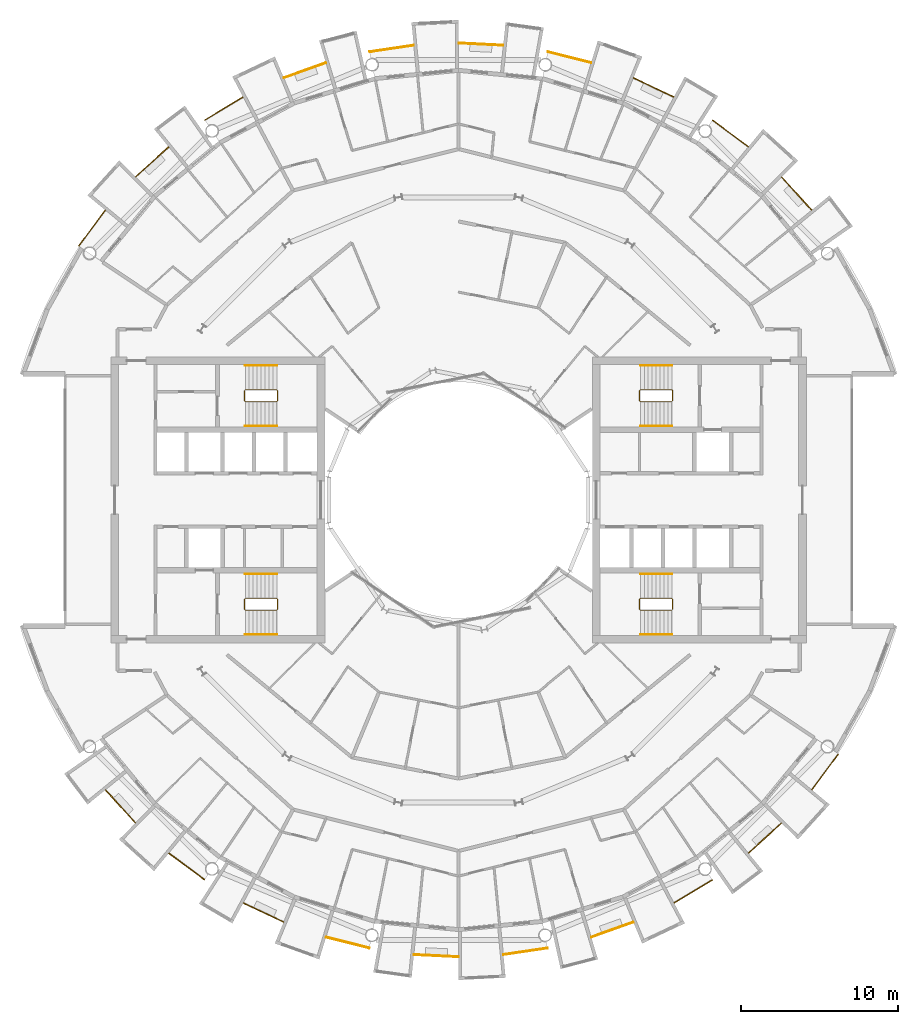
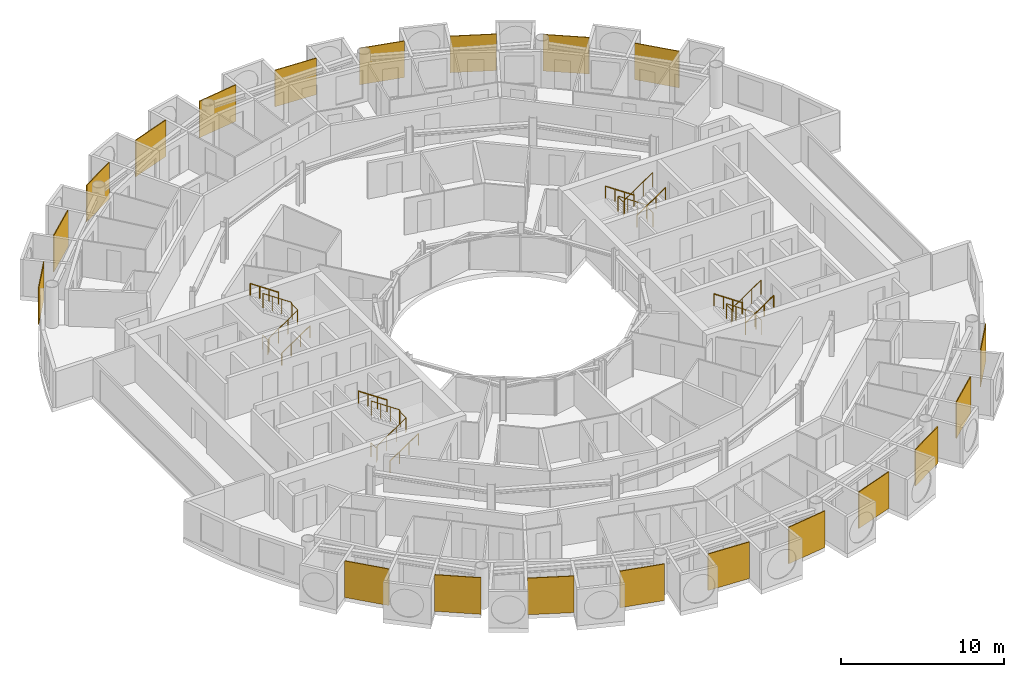
# One storey, part 26 of 26: 32 railings.
"""IFC4 building model written with IfcOpenShell, lengths in metres."""

from ifc_helpers import new_model, si_unit, direction, frame, origin, origin_2d, place, context, subcontext, project, spatial, polyline, circle, outline, extrude, material, layer, layer_set, type_object, element, save


model = new_model("IFC4")

# Units and contexts
model_context = context("Model", 3, precision=1e-05, world=origin(), true_north=direction((0.0, 1.0)))
body_context = subcontext(model_context, "Body", "Model", "MODEL_VIEW")
ifc_project = project(units=[si_unit("LENGTHUNIT", "METRE"), si_unit("AREAUNIT", "SQUARE_METRE"), si_unit("VOLUMEUNIT", "CUBIC_METRE"), si_unit("PLANEANGLEUNIT", "RADIAN"), si_unit("MASSUNIT", "GRAM", prefix="KILO")], contexts=[model_context])

# Site, building, storey
site_placement = place(None, origin())
site = spatial("IfcSite", under=ifc_project, at=site_placement, CompositionType="ELEMENT")
building_placement = place(site_placement, origin())
building = spatial("IfcBuilding", under=site, at=building_placement, Name="Maasbend Ring Residences", CompositionType="ELEMENT")
storey_placement = place(building_placement, frame((0.0, 0.0, 161.60009765625)))
storey = spatial("IfcBuildingStorey", under=building, at=storey_placement, Name="L46", CompositionType="ELEMENT", Elevation=161.60009765625)

# Railings
ifc_material_1 = material(Name="Pale anodised perforated aluminium", Category="aluminium")
ifc_layer = layer(ifc_material_1, 0.06005859375)
ifc_layer_set = layer_set([ifc_layer], Name="SCREEN-P")
railing_type_1 = type_object("IfcRailingType", Name="SCREEN-P", PredefinedType="GUARDRAIL", material=ifc_layer_set)
railing_1_placement = place(storey_placement, frame((0.0, 0.0, -0.030029296875)))
element("IfcRailing", 1, at=railing_1_placement, inside=storey, type_object=railing_type_1, Name="Perforated screen guard 1", PredefinedType="GUARDRAIL", context=body_context, shape_type="SweptSolid", body=[
    extrude(outline(polyline([(22.4169921875, 18.39697265625), (20.506103515625, 20.506103515625), (20.551025390625, 20.5458984375), (22.4619140625, 18.43798828125), (22.4169921875, 18.39697265625)])), origin(), (0.0, 0.0, 1.0), 2.72998046875),
])
railing_2_placement = place(storey_placement, frame((0.0, 0.0, -0.030029296875)))
element("IfcRailing", 2, at=railing_2_placement, inside=storey, type_object=railing_type_1, Name="Perforated screen guard 2", PredefinedType="GUARDRAIL", context=body_context, shape_type="SweptSolid", body=[
    extrude(outline(polyline([(18.39697265625, 22.4169921875), (16.112060546875, 24.113037109375), (16.14697265625, 24.160888671875), (18.43310546875, 22.465087890625), (18.39697265625, 22.4169921875)])), origin(), (0.0, 0.0, 1.0), 2.72998046875),
])
railing_3_placement = place(storey_placement, frame((0.0, 0.0, -0.030029296875)))
element("IfcRailing", 3, at=railing_3_placement, inside=storey, type_object=railing_type_1, Name="Perforated screen guard 3", PredefinedType="GUARDRAIL", context=body_context, shape_type="SweptSolid", body=[
    extrude(outline(polyline([(13.6708984375, 25.575927734375), (11.097900390625, 26.79296875), (11.123046875, 26.846923828125), (13.696044921875, 25.6298828125), (13.6708984375, 25.575927734375)])), origin(), (0.0, 0.0, 1.0), 2.72998046875),
])
railing_4_placement = place(storey_placement, frame((0.0, 0.0, -0.030029296875)))
element("IfcRailing", 4, at=railing_4_placement, inside=storey, type_object=railing_type_1, Name="Perforated screen guard 4", PredefinedType="GUARDRAIL", context=body_context, shape_type="SweptSolid", body=[
    extrude(outline(polyline([(8.41796875, 27.7509765625), (5.657958984375, 28.443115234375), (5.672119140625, 28.5009765625), (8.43310546875, 27.80908203125), (8.41796875, 27.7509765625)])), origin(), (0.0, 0.0, 1.0), 2.72998046875),
])
railing_5_placement = place(storey_placement, frame((0.0, 0.0, -0.030029296875)))
element("IfcRailing", 5, at=railing_5_placement, inside=storey, type_object=railing_type_1, Name="Perforated screen guard 5", PredefinedType="GUARDRAIL", context=body_context, shape_type="SweptSolid", body=[
    extrude(outline(polyline([(2.842041015625, 28.860107421875), (0.0, 29.0), (0.0029296875, 29.06005859375), (2.844970703125, 28.919921875), (2.842041015625, 28.860107421875)])), origin(), (0.0, 0.0, 1.0), 2.72998046875),
])
railing_6_placement = place(storey_placement, frame((0.0, 0.0, -0.030029296875)))
element("IfcRailing", 6, at=railing_6_placement, inside=storey, type_object=railing_type_1, Name="Perforated screen guard 6", PredefinedType="GUARDRAIL", context=body_context, shape_type="SweptSolid", body=[
    extrude(outline(polyline([(-2.842041015625, 28.860107421875), (-5.657958984375, 28.443115234375), (-5.666015625, 28.501953125), (-2.85107421875, 28.919921875), (-2.842041015625, 28.860107421875)])), origin(), (0.0, 0.0, 1.0), 2.72998046875),
])
railing_7_placement = place(storey_placement, frame((0.0, 0.0, -0.030029296875)))
element("IfcRailing", 7, at=railing_7_placement, inside=storey, type_object=railing_type_1, Name="Perforated screen guard 7", PredefinedType="GUARDRAIL", context=body_context, shape_type="SweptSolid", body=[
    extrude(outline(polyline([(-8.41796875, 27.7509765625), (-11.097900390625, 26.79296875), (-11.117919921875, 26.84912109375), (-8.43798828125, 27.80810546875), (-8.41796875, 27.7509765625)])), origin(), (0.0, 0.0, 1.0), 2.72998046875),
])
railing_8_placement = place(storey_placement, frame((0.0, 0.0, -0.030029296875)))
element("IfcRailing", 8, at=railing_8_placement, inside=storey, type_object=railing_type_1, Name="Perforated screen guard 8", PredefinedType="GUARDRAIL", context=body_context, shape_type="SweptSolid", body=[
    extrude(outline(polyline([(-13.6708984375, 25.575927734375), (-16.112060546875, 24.113037109375), (-16.14208984375, 24.1640625), (-13.700927734375, 25.626953125), (-13.6708984375, 25.575927734375)])), origin(), (0.0, 0.0, 1.0), 2.72998046875),
])
railing_9_placement = place(storey_placement, frame((0.0, 0.0, -0.030029296875)))
element("IfcRailing", 9, at=railing_9_placement, inside=storey, type_object=railing_type_1, Name="Perforated screen guard 9", PredefinedType="GUARDRAIL", context=body_context, shape_type="SweptSolid", body=[
    extrude(outline(polyline([(-18.39697265625, 22.4169921875), (-20.506103515625, 20.506103515625), (-20.5458984375, 20.551025390625), (-18.43798828125, 22.4619140625), (-18.39697265625, 22.4169921875)])), origin(), (0.0, 0.0, 1.0), 2.72998046875),
])
railing_10_placement = place(storey_placement, frame((0.0, 0.0, -0.030029296875)))
element("IfcRailing", 10, at=railing_10_placement, inside=storey, type_object=railing_type_1, Name="Perforated screen guard 10", PredefinedType="GUARDRAIL", context=body_context, shape_type="SweptSolid", body=[
    extrude(outline(polyline([(-22.4169921875, 18.39697265625), (-24.113037109375, 16.112060546875), (-24.160888671875, 16.14697265625), (-22.465087890625, 18.43310546875), (-22.4169921875, 18.39697265625)])), origin(), (0.0, 0.0, 1.0), 2.72998046875),
])
railing_11_placement = place(storey_placement, frame((0.0, 0.0, -0.030029296875)))
element("IfcRailing", 11, at=railing_11_placement, inside=storey, type_object=railing_type_1, Name="Perforated screen guard 1", PredefinedType="GUARDRAIL", context=body_context, shape_type="SweptSolid", body=[
    extrude(outline(polyline([(-22.4169921875, -18.39697265625), (-20.506103515625, -20.506103515625), (-20.551025390625, -20.5458984375), (-22.4619140625, -18.43798828125), (-22.4169921875, -18.39697265625)])), origin(), (0.0, 0.0, 1.0), 2.72998046875),
])
railing_12_placement = place(storey_placement, frame((0.0, 0.0, -0.030029296875)))
element("IfcRailing", 12, at=railing_12_placement, inside=storey, type_object=railing_type_1, Name="Perforated screen guard 2", PredefinedType="GUARDRAIL", context=body_context, shape_type="SweptSolid", body=[
    extrude(outline(polyline([(-18.39697265625, -22.4169921875), (-16.112060546875, -24.113037109375), (-16.14697265625, -24.160888671875), (-18.43310546875, -22.465087890625), (-18.39697265625, -22.4169921875)])), origin(), (0.0, 0.0, 1.0), 2.72998046875),
])
railing_13_placement = place(storey_placement, frame((0.0, 0.0, -0.030029296875)))
element("IfcRailing", 13, at=railing_13_placement, inside=storey, type_object=railing_type_1, Name="Perforated screen guard 3", PredefinedType="GUARDRAIL", context=body_context, shape_type="SweptSolid", body=[
    extrude(outline(polyline([(-13.6708984375, -25.575927734375), (-11.097900390625, -26.79296875), (-11.123046875, -26.846923828125), (-13.696044921875, -25.6298828125), (-13.6708984375, -25.575927734375)])), origin(), (0.0, 0.0, 1.0), 2.72998046875),
])
railing_14_placement = place(storey_placement, frame((0.0, 0.0, -0.030029296875)))
element("IfcRailing", 14, at=railing_14_placement, inside=storey, type_object=railing_type_1, Name="Perforated screen guard 4", PredefinedType="GUARDRAIL", context=body_context, shape_type="SweptSolid", body=[
    extrude(outline(polyline([(-8.41796875, -27.7509765625), (-5.657958984375, -28.443115234375), (-5.672119140625, -28.5009765625), (-8.43310546875, -27.80908203125), (-8.41796875, -27.7509765625)])), origin(), (0.0, 0.0, 1.0), 2.72998046875),
])
railing_15_placement = place(storey_placement, frame((0.0, 0.0, -0.030029296875)))
element("IfcRailing", 15, at=railing_15_placement, inside=storey, type_object=railing_type_1, Name="Perforated screen guard 5", PredefinedType="GUARDRAIL", context=body_context, shape_type="SweptSolid", body=[
    extrude(outline(polyline([(-2.842041015625, -28.860107421875), (0.0, -29.0), (-0.0029296875, -29.06005859375), (-2.844970703125, -28.919921875), (-2.842041015625, -28.860107421875)])), origin(), (0.0, 0.0, 1.0), 2.72998046875),
])
railing_16_placement = place(storey_placement, frame((0.0, 0.0, -0.030029296875)))
element("IfcRailing", 16, at=railing_16_placement, inside=storey, type_object=railing_type_1, Name="Perforated screen guard 6", PredefinedType="GUARDRAIL", context=body_context, shape_type="SweptSolid", body=[
    extrude(outline(polyline([(2.842041015625, -28.860107421875), (5.657958984375, -28.443115234375), (5.666015625, -28.501953125), (2.85107421875, -28.919921875), (2.842041015625, -28.860107421875)])), origin(), (0.0, 0.0, 1.0), 2.72998046875),
])
railing_17_placement = place(storey_placement, frame((0.0, 0.0, -0.030029296875)))
element("IfcRailing", 17, at=railing_17_placement, inside=storey, type_object=railing_type_1, Name="Perforated screen guard 7", PredefinedType="GUARDRAIL", context=body_context, shape_type="SweptSolid", body=[
    extrude(outline(polyline([(8.41796875, -27.7509765625), (11.097900390625, -26.79296875), (11.117919921875, -26.84912109375), (8.43798828125, -27.80810546875), (8.41796875, -27.7509765625)])), origin(), (0.0, 0.0, 1.0), 2.72998046875),
])
railing_18_placement = place(storey_placement, frame((0.0, 0.0, -0.030029296875)))
element("IfcRailing", 18, at=railing_18_placement, inside=storey, type_object=railing_type_1, Name="Perforated screen guard 8", PredefinedType="GUARDRAIL", context=body_context, shape_type="SweptSolid", body=[
    extrude(outline(polyline([(13.6708984375, -25.575927734375), (16.112060546875, -24.113037109375), (16.14208984375, -24.1640625), (13.700927734375, -25.626953125), (13.6708984375, -25.575927734375)])), origin(), (0.0, 0.0, 1.0), 2.72998046875),
])
railing_19_placement = place(storey_placement, frame((0.0, 0.0, -0.030029296875)))
element("IfcRailing", 19, at=railing_19_placement, inside=storey, type_object=railing_type_1, Name="Perforated screen guard 9", PredefinedType="GUARDRAIL", context=body_context, shape_type="SweptSolid", body=[
    extrude(outline(polyline([(18.39697265625, -22.4169921875), (20.506103515625, -20.506103515625), (20.5458984375, -20.551025390625), (18.43798828125, -22.4619140625), (18.39697265625, -22.4169921875)])), origin(), (0.0, 0.0, 1.0), 2.72998046875),
])
railing_20_placement = place(storey_placement, frame((0.0, 0.0, -0.030029296875)))
element("IfcRailing", 20, at=railing_20_placement, inside=storey, type_object=railing_type_1, Name="Perforated screen guard 10", PredefinedType="GUARDRAIL", context=body_context, shape_type="SweptSolid", body=[
    extrude(outline(polyline([(22.4169921875, -18.39697265625), (24.113037109375, -16.112060546875), (24.160888671875, -16.14697265625), (22.465087890625, -18.43310546875), (22.4169921875, -18.39697265625)])), origin(), (0.0, 0.0, 1.0), 2.72998046875),
])
ifc_material_2 = material(Name="Stainless steel 316", Category="steel")
railing_type_2 = type_object("IfcRailingType", Name="STAIR GUARD 1100", PredefinedType="GUARDRAIL", material=ifc_material_2)
railing_21_placement = place(storey_placement, frame((13.60009765625, 6.300048828125, 0.0)))
element("IfcRailing", 21, at=railing_21_placement, inside=storey, type_object=railing_type_2, Name="L46 ST-E1 stair guard 1", PredefinedType="GUARDRAIL", context=body_context, shape_type="SweptSolid", body=[
    extrude(circle(Radius=0.02392578125, at=origin_2d()), frame((0.0, 0.0, 1.076171875), z_axis=(0.0, 1.0, 0.0), x_axis=(-1.0, 0.0, 0.0)), (0.0, 0.0, 1.0), 0.64990234375),
    extrude(circle(Radius=0.02392578125, at=origin_2d()), frame((0.0, 0.64990234375, 1.076171875), z_axis=(-0.272562526181, 0.272562526181, 0.92272386912), x_axis=(-0.707106781187, -0.707106781187, 0.0)), (0.0, 0.0, 1.0), 0.18359375),
    extrude(circle(Radius=0.02392578125, at=origin_2d()), frame((-0.050048828125, 0.699951171875, 1.24560546875), z_axis=(-0.827797584762, 0.0, 0.561026878735), x_axis=(0.0, -1.0, 0.0)), (0.0, 0.0, 1.0), 2.416015625),
    extrude(circle(Radius=0.02392578125, at=origin_2d()), frame((-2.050048828125, 0.699951171875, 2.60107421875), z_axis=(-0.707106781187, -0.707106781187, 0.0), x_axis=(0.707106781187, -0.707106781187, 0.0)), (0.0, 0.0, 1.0), 0.07080078125),
    extrude(circle(Radius=0.02392578125, at=origin_2d()), frame((-2.10009765625, 0.64990234375, 2.60107421875), z_axis=(0.0, -1.0, 0.0), x_axis=(1.0, 0.0, 0.0)), (0.0, 0.0, 1.0), 0.64990234375),
    extrude(circle(Radius=0.02392578125, at=origin_2d()), frame((-2.10009765625, 0.0, 2.60107421875), z_axis=(0.272562526181, -0.272562526181, 0.92272386912), x_axis=(0.707106781187, 0.707106781187, 0.0)), (0.0, 0.0, 1.0), 0.18359375),
    extrude(circle(Radius=0.02392578125, at=origin_2d()), frame((-2.050048828125, -0.050048828125, 2.7705078125), z_axis=(0.827797584762, 0.0, 0.561026878735), x_axis=(0.0, 1.0, 0.0)), (0.0, 0.0, 1.0), 2.416015625),
    extrude(circle(Radius=0.02099609375, at=origin_2d()), origin(), (0.0, 0.0, 1.0), 1.052001953125),
    extrude(circle(Radius=0.02099609375, at=origin_2d()), frame((0.0, 0.64990234375, 0.0)), (0.0, 0.0, 1.0), 1.052001953125),
    extrude(circle(Radius=0.02099609375, at=origin_2d()), frame((-0.050048828125, 0.699951171875, 0.16943359375)), (0.0, 0.0, 1.0), 1.052001953125),
    extrude(circle(Radius=0.02099609375, at=origin_2d()), frame((-0.716796875, 0.699951171875, 0.621337890625)), (0.0, 0.0, 1.0), 1.052001953125),
    extrude(circle(Radius=0.02099609375, at=origin_2d()), frame((-1.38330078125, 0.699951171875, 1.072998046875)), (0.0, 0.0, 1.0), 1.052001953125),
    extrude(circle(Radius=0.02099609375, at=origin_2d()), frame((-2.050048828125, 0.699951171875, 1.52490234375)), (0.0, 0.0, 1.0), 1.052001953125),
    extrude(circle(Radius=0.02099609375, at=origin_2d()), frame((-2.10009765625, 0.64990234375, 1.52490234375)), (0.0, 0.0, 1.0), 1.052001953125),
    extrude(circle(Radius=0.02099609375, at=origin_2d()), frame((-2.10009765625, 0.0, 1.52490234375)), (0.0, 0.0, 1.0), 1.052001953125),
    extrude(circle(Radius=0.02099609375, at=origin_2d()), frame((-2.050048828125, -0.050048828125, 1.6943359375)), (0.0, 0.0, 1.0), 1.052001953125),
    extrude(circle(Radius=0.02099609375, at=origin_2d()), frame((-1.38330078125, -0.050048828125, 2.146240234375)), (0.0, 0.0, 1.0), 1.052001953125),
    extrude(circle(Radius=0.02099609375, at=origin_2d()), frame((-0.716796875, -0.050048828125, 2.597900390625)), (0.0, 0.0, 1.0), 1.052001953125),
    extrude(circle(Radius=0.02099609375, at=origin_2d()), frame((-0.050048828125, -0.050048828125, 3.0498046875)), (0.0, 0.0, 1.0), 1.052001953125),
])
railing_22_placement = place(storey_placement, frame((13.60009765625, -6.949951171875, 0.0)))
element("IfcRailing", 22, at=railing_22_placement, inside=storey, type_object=railing_type_2, Name="L46 ST-E2 stair guard 1", PredefinedType="GUARDRAIL", context=body_context, shape_type="SweptSolid", body=[
    extrude(circle(Radius=0.02392578125, at=origin_2d()), frame((0.0, 0.0, 1.076171875), z_axis=(0.0, 1.0, 0.0), x_axis=(-1.0, 0.0, 0.0)), (0.0, 0.0, 1.0), 0.64990234375),
    extrude(circle(Radius=0.02392578125, at=origin_2d()), frame((0.0, 0.64990234375, 1.076171875), z_axis=(-0.272562526181, 0.272562526181, 0.92272386912), x_axis=(-0.707106781187, -0.707106781187, 0.0)), (0.0, 0.0, 1.0), 0.18359375),
    extrude(circle(Radius=0.02392578125, at=origin_2d()), frame((-0.050048828125, 0.699951171875, 1.24560546875), z_axis=(-0.827797584762, 0.0, 0.561026878735), x_axis=(0.0, -1.0, 0.0)), (0.0, 0.0, 1.0), 2.416015625),
    extrude(circle(Radius=0.02392578125, at=origin_2d()), frame((-2.050048828125, 0.699951171875, 2.60107421875), z_axis=(-0.707106781187, -0.707106781187, 0.0), x_axis=(0.707106781187, -0.707106781187, 0.0)), (0.0, 0.0, 1.0), 0.07080078125),
    extrude(circle(Radius=0.02392578125, at=origin_2d()), frame((-2.10009765625, 0.64990234375, 2.60107421875), z_axis=(0.0, -1.0, 0.0), x_axis=(1.0, 0.0, 0.0)), (0.0, 0.0, 1.0), 0.64990234375),
    extrude(circle(Radius=0.02392578125, at=origin_2d()), frame((-2.10009765625, 0.0, 2.60107421875), z_axis=(0.272562526181, -0.272562526181, 0.92272386912), x_axis=(0.707106781187, 0.707106781187, 0.0)), (0.0, 0.0, 1.0), 0.18359375),
    extrude(circle(Radius=0.02392578125, at=origin_2d()), frame((-2.050048828125, -0.050048828125, 2.7705078125), z_axis=(0.827797584762, 0.0, 0.561026878735), x_axis=(0.0, 1.0, 0.0)), (0.0, 0.0, 1.0), 2.416015625),
    extrude(circle(Radius=0.02099609375, at=origin_2d()), origin(), (0.0, 0.0, 1.0), 1.052001953125),
    extrude(circle(Radius=0.02099609375, at=origin_2d()), frame((0.0, 0.64990234375, 0.0)), (0.0, 0.0, 1.0), 1.052001953125),
    extrude(circle(Radius=0.02099609375, at=origin_2d()), frame((-0.050048828125, 0.699951171875, 0.16943359375)), (0.0, 0.0, 1.0), 1.052001953125),
    extrude(circle(Radius=0.02099609375, at=origin_2d()), frame((-0.716796875, 0.699951171875, 0.621337890625)), (0.0, 0.0, 1.0), 1.052001953125),
    extrude(circle(Radius=0.02099609375, at=origin_2d()), frame((-1.38330078125, 0.699951171875, 1.072998046875)), (0.0, 0.0, 1.0), 1.052001953125),
    extrude(circle(Radius=0.02099609375, at=origin_2d()), frame((-2.050048828125, 0.699951171875, 1.52490234375)), (0.0, 0.0, 1.0), 1.052001953125),
    extrude(circle(Radius=0.02099609375, at=origin_2d()), frame((-2.10009765625, 0.64990234375, 1.52490234375)), (0.0, 0.0, 1.0), 1.052001953125),
    extrude(circle(Radius=0.02099609375, at=origin_2d()), frame((-2.10009765625, 0.0, 1.52490234375)), (0.0, 0.0, 1.0), 1.052001953125),
    extrude(circle(Radius=0.02099609375, at=origin_2d()), frame((-2.050048828125, -0.050048828125, 1.6943359375)), (0.0, 0.0, 1.0), 1.052001953125),
    extrude(circle(Radius=0.02099609375, at=origin_2d()), frame((-1.38330078125, -0.050048828125, 2.146240234375)), (0.0, 0.0, 1.0), 1.052001953125),
    extrude(circle(Radius=0.02099609375, at=origin_2d()), frame((-0.716796875, -0.050048828125, 2.597900390625)), (0.0, 0.0, 1.0), 1.052001953125),
    extrude(circle(Radius=0.02099609375, at=origin_2d()), frame((-0.050048828125, -0.050048828125, 3.0498046875)), (0.0, 0.0, 1.0), 1.052001953125),
])
railing_23_placement = place(storey_placement, frame((-13.60009765625, -6.300048828125, 0.0)))
element("IfcRailing", 23, at=railing_23_placement, inside=storey, type_object=railing_type_2, Name="L46 ST-W1 stair guard 1", PredefinedType="GUARDRAIL", context=body_context, shape_type="SweptSolid", body=[
    extrude(circle(Radius=0.02392578125, at=origin_2d()), frame((0.0, 0.0, 1.076171875), z_axis=(0.0, -1.0, 0.0), x_axis=(1.0, 0.0, 0.0)), (0.0, 0.0, 1.0), 0.64990234375),
    extrude(circle(Radius=0.02392578125, at=origin_2d()), frame((0.0, -0.64990234375, 1.076171875), z_axis=(0.272562526181, -0.272562526181, 0.92272386912), x_axis=(0.707106781187, 0.707106781187, 0.0)), (0.0, 0.0, 1.0), 0.18359375),
    extrude(circle(Radius=0.02392578125, at=origin_2d()), frame((0.050048828125, -0.699951171875, 1.24560546875), z_axis=(0.827797584762, 0.0, 0.561026878735), x_axis=(0.0, 1.0, 0.0)), (0.0, 0.0, 1.0), 2.416015625),
    extrude(circle(Radius=0.02392578125, at=origin_2d()), frame((2.050048828125, -0.699951171875, 2.60107421875), z_axis=(0.707106781187, 0.707106781187, 0.0), x_axis=(-0.707106781187, 0.707106781187, 0.0)), (0.0, 0.0, 1.0), 0.07080078125),
    extrude(circle(Radius=0.02392578125, at=origin_2d()), frame((2.10009765625, -0.64990234375, 2.60107421875), z_axis=(0.0, 1.0, 0.0), x_axis=(-1.0, 0.0, 0.0)), (0.0, 0.0, 1.0), 0.64990234375),
    extrude(circle(Radius=0.02392578125, at=origin_2d()), frame((2.10009765625, 0.0, 2.60107421875), z_axis=(-0.272562526181, 0.272562526181, 0.92272386912), x_axis=(-0.707106781187, -0.707106781187, 0.0)), (0.0, 0.0, 1.0), 0.18359375),
    extrude(circle(Radius=0.02392578125, at=origin_2d()), frame((2.050048828125, 0.050048828125, 2.7705078125), z_axis=(-0.827797584762, 0.0, 0.561026878735), x_axis=(0.0, -1.0, 0.0)), (0.0, 0.0, 1.0), 2.416015625),
    extrude(circle(Radius=0.02099609375, at=origin_2d()), origin(), (0.0, 0.0, 1.0), 1.052001953125),
    extrude(circle(Radius=0.02099609375, at=origin_2d()), frame((0.0, -0.64990234375, 0.0)), (0.0, 0.0, 1.0), 1.052001953125),
    extrude(circle(Radius=0.02099609375, at=origin_2d()), frame((0.050048828125, -0.699951171875, 0.16943359375)), (0.0, 0.0, 1.0), 1.052001953125),
    extrude(circle(Radius=0.02099609375, at=origin_2d()), frame((0.716796875, -0.699951171875, 0.621337890625)), (0.0, 0.0, 1.0), 1.052001953125),
    extrude(circle(Radius=0.02099609375, at=origin_2d()), frame((1.38330078125, -0.699951171875, 1.072998046875)), (0.0, 0.0, 1.0), 1.052001953125),
    extrude(circle(Radius=0.02099609375, at=origin_2d()), frame((2.050048828125, -0.699951171875, 1.52490234375)), (0.0, 0.0, 1.0), 1.052001953125),
    extrude(circle(Radius=0.02099609375, at=origin_2d()), frame((2.10009765625, -0.64990234375, 1.52490234375)), (0.0, 0.0, 1.0), 1.052001953125),
    extrude(circle(Radius=0.02099609375, at=origin_2d()), frame((2.10009765625, 0.0, 1.52490234375)), (0.0, 0.0, 1.0), 1.052001953125),
    extrude(circle(Radius=0.02099609375, at=origin_2d()), frame((2.050048828125, 0.050048828125, 1.6943359375)), (0.0, 0.0, 1.0), 1.052001953125),
    extrude(circle(Radius=0.02099609375, at=origin_2d()), frame((1.38330078125, 0.050048828125, 2.146240234375)), (0.0, 0.0, 1.0), 1.052001953125),
    extrude(circle(Radius=0.02099609375, at=origin_2d()), frame((0.716796875, 0.050048828125, 2.597900390625)), (0.0, 0.0, 1.0), 1.052001953125),
    extrude(circle(Radius=0.02099609375, at=origin_2d()), frame((0.050048828125, 0.050048828125, 3.0498046875)), (0.0, 0.0, 1.0), 1.052001953125),
])
railing_24_placement = place(storey_placement, frame((-13.60009765625, 6.949951171875, 0.0)))
element("IfcRailing", 24, at=railing_24_placement, inside=storey, type_object=railing_type_2, Name="L46 ST-W2 stair guard 1", PredefinedType="GUARDRAIL", context=body_context, shape_type="SweptSolid", body=[
    extrude(circle(Radius=0.02392578125, at=origin_2d()), frame((0.0, 0.0, 1.076171875), z_axis=(0.0, -1.0, 0.0), x_axis=(1.0, 0.0, 0.0)), (0.0, 0.0, 1.0), 0.64990234375),
    extrude(circle(Radius=0.02392578125, at=origin_2d()), frame((0.0, -0.64990234375, 1.076171875), z_axis=(0.272562526181, -0.272562526181, 0.92272386912), x_axis=(0.707106781187, 0.707106781187, 0.0)), (0.0, 0.0, 1.0), 0.18359375),
    extrude(circle(Radius=0.02392578125, at=origin_2d()), frame((0.050048828125, -0.699951171875, 1.24560546875), z_axis=(0.827797584762, 0.0, 0.561026878735), x_axis=(0.0, 1.0, 0.0)), (0.0, 0.0, 1.0), 2.416015625),
    extrude(circle(Radius=0.02392578125, at=origin_2d()), frame((2.050048828125, -0.699951171875, 2.60107421875), z_axis=(0.707106781187, 0.707106781187, 0.0), x_axis=(-0.707106781187, 0.707106781187, 0.0)), (0.0, 0.0, 1.0), 0.07080078125),
    extrude(circle(Radius=0.02392578125, at=origin_2d()), frame((2.10009765625, -0.64990234375, 2.60107421875), z_axis=(0.0, 1.0, 0.0), x_axis=(-1.0, 0.0, 0.0)), (0.0, 0.0, 1.0), 0.64990234375),
    extrude(circle(Radius=0.02392578125, at=origin_2d()), frame((2.10009765625, 0.0, 2.60107421875), z_axis=(-0.272562526181, 0.272562526181, 0.92272386912), x_axis=(-0.707106781187, -0.707106781187, 0.0)), (0.0, 0.0, 1.0), 0.18359375),
    extrude(circle(Radius=0.02392578125, at=origin_2d()), frame((2.050048828125, 0.050048828125, 2.7705078125), z_axis=(-0.827797584762, 0.0, 0.561026878735), x_axis=(0.0, -1.0, 0.0)), (0.0, 0.0, 1.0), 2.416015625),
    extrude(circle(Radius=0.02099609375, at=origin_2d()), origin(), (0.0, 0.0, 1.0), 1.052001953125),
    extrude(circle(Radius=0.02099609375, at=origin_2d()), frame((0.0, -0.64990234375, 0.0)), (0.0, 0.0, 1.0), 1.052001953125),
    extrude(circle(Radius=0.02099609375, at=origin_2d()), frame((0.050048828125, -0.699951171875, 0.16943359375)), (0.0, 0.0, 1.0), 1.052001953125),
    extrude(circle(Radius=0.02099609375, at=origin_2d()), frame((0.716796875, -0.699951171875, 0.621337890625)), (0.0, 0.0, 1.0), 1.052001953125),
    extrude(circle(Radius=0.02099609375, at=origin_2d()), frame((1.38330078125, -0.699951171875, 1.072998046875)), (0.0, 0.0, 1.0), 1.052001953125),
    extrude(circle(Radius=0.02099609375, at=origin_2d()), frame((2.050048828125, -0.699951171875, 1.52490234375)), (0.0, 0.0, 1.0), 1.052001953125),
    extrude(circle(Radius=0.02099609375, at=origin_2d()), frame((2.10009765625, -0.64990234375, 1.52490234375)), (0.0, 0.0, 1.0), 1.052001953125),
    extrude(circle(Radius=0.02099609375, at=origin_2d()), frame((2.10009765625, 0.0, 1.52490234375)), (0.0, 0.0, 1.0), 1.052001953125),
    extrude(circle(Radius=0.02099609375, at=origin_2d()), frame((2.050048828125, 0.050048828125, 1.6943359375)), (0.0, 0.0, 1.0), 1.052001953125),
    extrude(circle(Radius=0.02099609375, at=origin_2d()), frame((1.38330078125, 0.050048828125, 2.146240234375)), (0.0, 0.0, 1.0), 1.052001953125),
    extrude(circle(Radius=0.02099609375, at=origin_2d()), frame((0.716796875, 0.050048828125, 2.597900390625)), (0.0, 0.0, 1.0), 1.052001953125),
    extrude(circle(Radius=0.02099609375, at=origin_2d()), frame((0.050048828125, 0.050048828125, 3.0498046875)), (0.0, 0.0, 1.0), 1.052001953125),
])
ifc_material_3 = material(Name="Stainless steel 316", Category="steel")
railing_type_3 = type_object("IfcRailingType", Name="STAIR HANDRAIL 900", PredefinedType="HANDRAIL", material=ifc_material_3)
railing_25_placement = place(storey_placement, frame((13.550048828125, 8.550048828125, 0.16943359375)))
element("IfcRailing", 25, at=railing_25_placement, inside=storey, type_object=railing_type_3, Name="L46 ST-E1 stair handrail 1", PredefinedType="HANDRAIL", context=body_context, shape_type="SweptSolid", body=[
    extrude(circle(Radius=0.02392578125, at=origin_2d()), frame((0.0, 0.0, 0.8759765625), z_axis=(-0.827797584762, 0.0, 0.561026878735), x_axis=(0.0, -1.0, 0.0)), (0.0, 0.0, 1.0), 2.416015625),
    extrude(circle(Radius=0.02099609375, at=origin_2d()), origin(), (0.0, 0.0, 1.0), 0.851806640625),
    extrude(circle(Radius=0.02099609375, at=origin_2d()), frame((-0.666748046875, 0.0, 0.451904296875)), (0.0, 0.0, 1.0), 0.851806640625),
    extrude(circle(Radius=0.02099609375, at=origin_2d()), frame((-1.333251953125, 0.0, 0.903564453125)), (0.0, 0.0, 1.0), 0.851806640625),
    extrude(circle(Radius=0.02099609375, at=origin_2d()), frame((-2.0, 0.0, 1.35546875)), (0.0, 0.0, 1.0), 0.851806640625),
])
railing_26_placement = place(storey_placement, frame((11.550048828125, 4.699951171875, 1.6943359375)))
element("IfcRailing", 26, at=railing_26_placement, inside=storey, type_object=railing_type_3, Name="L46 ST-E1 stair handrail 2", PredefinedType="HANDRAIL", context=body_context, shape_type="SweptSolid", body=[
    extrude(circle(Radius=0.02392578125, at=origin_2d()), frame((0.0, 0.0, 0.8759765625), z_axis=(0.827797584762, 0.0, 0.561026878735), x_axis=(0.0, 1.0, 0.0)), (0.0, 0.0, 1.0), 2.416015625),
    extrude(circle(Radius=0.02099609375, at=origin_2d()), origin(), (0.0, 0.0, 1.0), 0.851806640625),
    extrude(circle(Radius=0.02099609375, at=origin_2d()), frame((0.666748046875, 0.0, 0.451904296875)), (0.0, 0.0, 1.0), 0.851806640625),
    extrude(circle(Radius=0.02099609375, at=origin_2d()), frame((1.333251953125, 0.0, 0.903564453125)), (0.0, 0.0, 1.0), 0.851806640625),
    extrude(circle(Radius=0.02099609375, at=origin_2d()), frame((2.0, 0.0, 1.35546875)), (0.0, 0.0, 1.0), 0.851806640625),
])
railing_27_placement = place(storey_placement, frame((13.550048828125, -4.699951171875, 0.16943359375)))
element("IfcRailing", 27, at=railing_27_placement, inside=storey, type_object=railing_type_3, Name="L46 ST-E2 stair handrail 1", PredefinedType="HANDRAIL", context=body_context, shape_type="SweptSolid", body=[
    extrude(circle(Radius=0.02392578125, at=origin_2d()), frame((0.0, 0.0, 0.8759765625), z_axis=(-0.827797584762, 0.0, 0.561026878735), x_axis=(0.0, -1.0, 0.0)), (0.0, 0.0, 1.0), 2.416015625),
    extrude(circle(Radius=0.02099609375, at=origin_2d()), origin(), (0.0, 0.0, 1.0), 0.851806640625),
    extrude(circle(Radius=0.02099609375, at=origin_2d()), frame((-0.666748046875, 0.0, 0.451904296875)), (0.0, 0.0, 1.0), 0.851806640625),
    extrude(circle(Radius=0.02099609375, at=origin_2d()), frame((-1.333251953125, 0.0, 0.903564453125)), (0.0, 0.0, 1.0), 0.851806640625),
    extrude(circle(Radius=0.02099609375, at=origin_2d()), frame((-2.0, 0.0, 1.35546875)), (0.0, 0.0, 1.0), 0.851806640625),
])
for number, where, name in (
    (28, (11.550048828125, -8.550048828125, 1.6943359375), "L46 ST-E2 stair handrail 2"),
    (29, (-13.550048828125, -8.550048828125, 0.16943359375), "L46 ST-W1 stair handrail 1"),
):
    element("IfcRailing", number, at=place(storey_placement, frame(where)), inside=storey, type_object=railing_type_3, Name=name, PredefinedType="HANDRAIL", context=body_context, shape_type="SweptSolid", body=[
        extrude(circle(Radius=0.02392578125, at=origin_2d()), frame((0.0, 0.0, 0.8759765625), z_axis=(0.827797584762, 0.0, 0.561026878735), x_axis=(0.0, 1.0, 0.0)), (0.0, 0.0, 1.0), 2.416015625),
        extrude(circle(Radius=0.02099609375, at=origin_2d()), origin(), (0.0, 0.0, 1.0), 0.851806640625),
        extrude(circle(Radius=0.02099609375, at=origin_2d()), frame((0.666748046875, 0.0, 0.451904296875)), (0.0, 0.0, 1.0), 0.851806640625),
        extrude(circle(Radius=0.02099609375, at=origin_2d()), frame((1.333251953125, 0.0, 0.903564453125)), (0.0, 0.0, 1.0), 0.851806640625),
        extrude(circle(Radius=0.02099609375, at=origin_2d()), frame((2.0, 0.0, 1.35546875)), (0.0, 0.0, 1.0), 0.851806640625),
    ])
railing_28_placement = place(storey_placement, frame((-11.550048828125, -4.699951171875, 1.6943359375)))
element("IfcRailing", 30, at=railing_28_placement, inside=storey, type_object=railing_type_3, Name="L46 ST-W1 stair handrail 2", PredefinedType="HANDRAIL", context=body_context, shape_type="SweptSolid", body=[
    extrude(circle(Radius=0.02392578125, at=origin_2d()), frame((0.0, 0.0, 0.8759765625), z_axis=(-0.827797584762, 0.0, 0.561026878735), x_axis=(0.0, -1.0, 0.0)), (0.0, 0.0, 1.0), 2.416015625),
    extrude(circle(Radius=0.02099609375, at=origin_2d()), origin(), (0.0, 0.0, 1.0), 0.851806640625),
    extrude(circle(Radius=0.02099609375, at=origin_2d()), frame((-0.666748046875, 0.0, 0.451904296875)), (0.0, 0.0, 1.0), 0.851806640625),
    extrude(circle(Radius=0.02099609375, at=origin_2d()), frame((-1.333251953125, 0.0, 0.903564453125)), (0.0, 0.0, 1.0), 0.851806640625),
    extrude(circle(Radius=0.02099609375, at=origin_2d()), frame((-2.0, 0.0, 1.35546875)), (0.0, 0.0, 1.0), 0.851806640625),
])
railing_29_placement = place(storey_placement, frame((-13.550048828125, 4.699951171875, 0.16943359375)))
element("IfcRailing", 31, at=railing_29_placement, inside=storey, type_object=railing_type_3, Name="L46 ST-W2 stair handrail 1", PredefinedType="HANDRAIL", context=body_context, shape_type="SweptSolid", body=[
    extrude(circle(Radius=0.02392578125, at=origin_2d()), frame((0.0, 0.0, 0.8759765625), z_axis=(0.827797584762, 0.0, 0.561026878735), x_axis=(0.0, 1.0, 0.0)), (0.0, 0.0, 1.0), 2.416015625),
    extrude(circle(Radius=0.02099609375, at=origin_2d()), origin(), (0.0, 0.0, 1.0), 0.851806640625),
    extrude(circle(Radius=0.02099609375, at=origin_2d()), frame((0.666748046875, 0.0, 0.451904296875)), (0.0, 0.0, 1.0), 0.851806640625),
    extrude(circle(Radius=0.02099609375, at=origin_2d()), frame((1.333251953125, 0.0, 0.903564453125)), (0.0, 0.0, 1.0), 0.851806640625),
    extrude(circle(Radius=0.02099609375, at=origin_2d()), frame((2.0, 0.0, 1.35546875)), (0.0, 0.0, 1.0), 0.851806640625),
])
railing_30_placement = place(storey_placement, frame((-11.550048828125, 8.550048828125, 1.6943359375)))
element("IfcRailing", 32, at=railing_30_placement, inside=storey, type_object=railing_type_3, Name="L46 ST-W2 stair handrail 2", PredefinedType="HANDRAIL", context=body_context, shape_type="SweptSolid", body=[
    extrude(circle(Radius=0.02392578125, at=origin_2d()), frame((0.0, 0.0, 0.8759765625), z_axis=(-0.827797584762, 0.0, 0.561026878735), x_axis=(0.0, -1.0, 0.0)), (0.0, 0.0, 1.0), 2.416015625),
    extrude(circle(Radius=0.02099609375, at=origin_2d()), origin(), (0.0, 0.0, 1.0), 0.851806640625),
    extrude(circle(Radius=0.02099609375, at=origin_2d()), frame((-0.666748046875, 0.0, 0.451904296875)), (0.0, 0.0, 1.0), 0.851806640625),
    extrude(circle(Radius=0.02099609375, at=origin_2d()), frame((-1.333251953125, 0.0, 0.903564453125)), (0.0, 0.0, 1.0), 0.851806640625),
    extrude(circle(Radius=0.02099609375, at=origin_2d()), frame((-2.0, 0.0, 1.35546875)), (0.0, 0.0, 1.0), 0.851806640625),
])

save(model, "model.ifc")
